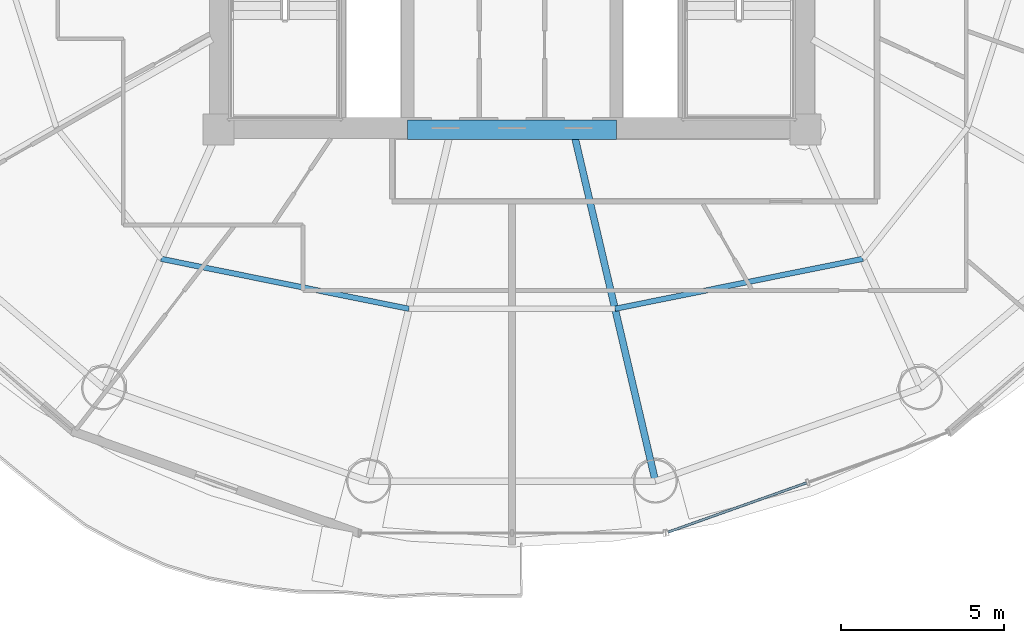
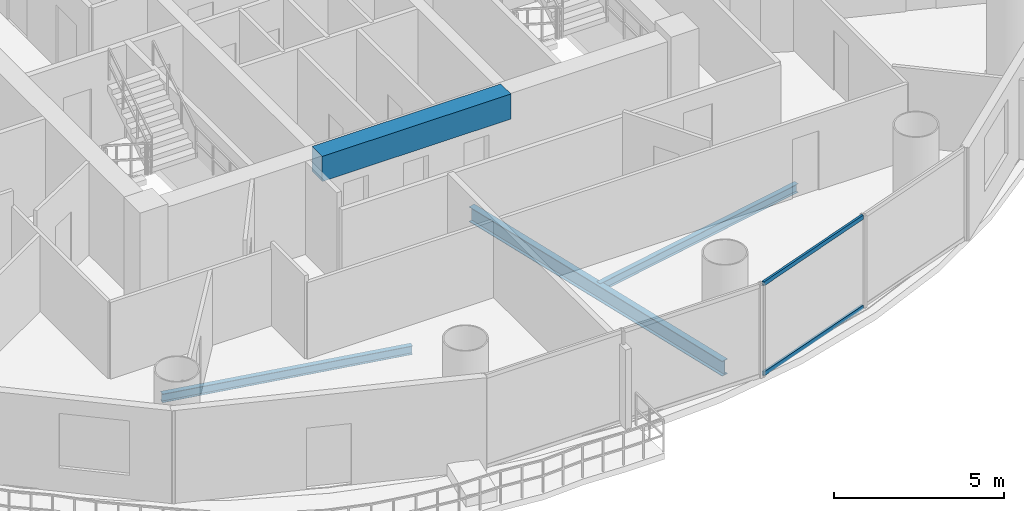
# One storey, part 5 of 26: 4 beams, 2 members, 1 element without a shape of its own.
"""IFC4 building model written with IfcOpenShell, lengths in metres."""

from ifc_helpers import new_model, si_unit, direction, frame, origin, origin_2d, place, context, subcontext, project, spatial, rectangle, hollow_rectangle, i_section, extrude, source, transform, mapped, material, material_profile, profile_set, type_object, element, aggregate, save


model = new_model("IFC4")

# Units and contexts
model_context = context("Model", 3, precision=1e-05, world=origin(), true_north=direction((-0.2419218956, 0.970295726276)))
body_context = subcontext(model_context, "Body", "Model", "MODEL_VIEW")
ifc_project = project(units=[si_unit("LENGTHUNIT", "METRE"), si_unit("AREAUNIT", "SQUARE_METRE"), si_unit("VOLUMEUNIT", "CUBIC_METRE"), si_unit("PLANEANGLEUNIT", "RADIAN"), si_unit("MASSUNIT", "GRAM", prefix="KILO")], contexts=[model_context])

# Site, building, storey
site_placement = place(None, origin())
site = spatial("IfcSite", under=ifc_project, at=site_placement, CompositionType="ELEMENT")
building_placement = place(site_placement, origin())
building = spatial("IfcBuilding", under=site, at=building_placement, Name="Cobrevalo Terracotta Tower", CompositionType="ELEMENT")
storey_placement = place(building_placement, frame((0.0, 0.0, 167.800048828125)))
storey = spatial("IfcBuildingStorey", under=building, at=storey_placement, Name="L44", CompositionType="ELEMENT", Elevation=167.800048828125)

# Beams
ifc_material_1 = material(Name="Concrete C60", Category="concrete")
ifc_material_profile_1 = material_profile(ifc_material_1, rectangle(XDim=0.60009765625, YDim=0.89990234375, at=origin_2d()), Name="RC CB 600x900")
ifc_profile_set_1 = profile_set([ifc_material_profile_1], Name="Concrete C60")
beam_type_1 = type_object("IfcBeamType", Name="Structural Beam RC CB 600x900 (Concrete C60)", PredefinedType="BEAM", material=ifc_profile_set_1)
beam_1_placement = place(storey_placement, frame((34.800048828125, 18.800048828125, 2.8798828125), z_axis=(1.0, 0.0, 0.0), x_axis=(0.0, 1.0, 0.0)))
element("IfcBeam", 1, at=beam_1_placement, inside=storey, type_object=beam_type_1, Name="L44 core coupling beam 1", PredefinedType="BEAM", context=body_context, shape_type="SweptSolid", body=[
    extrude(rectangle(XDim=0.60009765625, YDim=0.89990234375, at=origin_2d()), origin(), (0.0, 0.0, 1.0), 6.39990234375),
])
ifc_material_2 = material(Name="Steel S355", Category="steel")
ifc_material_profile_2 = material_profile(ifc_material_2, i_section(OverallWidth=0.2109375, OverallDepth=0.5390625, WebThickness=0.01171875, FlangeThickness=0.018798828125, at=origin_2d()), Name="W 530x109")
ifc_profile_set_2 = profile_set([ifc_material_profile_2], Name="Steel S355")
beam_type_2 = type_object("IfcBeamType", Name="Structural Beam W 530x109 (Steel S355)", PredefinedType="BEAM", material=ifc_profile_set_2)
beam_2_placement = place(storey_placement, frame((42.399169921875, 8.01806640625, -0.53955078125), z_axis=(-0.228045854186, 0.973650393308, 0.0), x_axis=(-0.973650393308, -0.228045854186, 0.0)))
element("IfcBeam", 2, at=beam_2_placement, inside=storey, type_object=beam_type_2, Name="L44 radial floor girder 13", PredefinedType="BEAM", context=body_context, shape_type="SweptSolid", body=[
    extrude(i_section(OverallWidth=0.2109375, OverallDepth=0.5390625, WebThickness=0.01171875, FlangeThickness=0.018798828125, at=origin_2d()), origin(), (0.0, 0.0, 1.0), 10.863037109375),
])
ifc_material_profile_3 = material_profile(ifc_material_2, i_section(OverallWidth=0.1650390625, OverallDepth=0.31005859375, WebThickness=0.005859375, FlangeThickness=0.009765625, at=origin_2d()), Name="W 310x38.7")
ifc_profile_set_3 = profile_set([ifc_material_profile_3], Name="Steel S355")
beam_type_3 = type_object("IfcBeamType", Name="Structural Joist W 310x38.7 (Steel S355)", PredefinedType="JOIST", material=ifc_profile_set_3)
for number, where, z_axis, x_axis, name in (
    (3, (27.23583984375, 14.838623046875, -0.425048828125), (0.980293928329, -0.197544461026, 0.0), (0.197544461026, 0.980293928329, 0.0), "L44 circumferential secondary floor joist 11"),
    (4, (41.16064453125, 13.306396484375, -0.425048828125), (0.980293928329, 0.197544461026, 0.0), (-0.197544461026, 0.980293928329, 0.0), "L44 circumferential secondary floor joist 13"),
):
    element("IfcBeam", number, at=place(storey_placement, frame(where, z_axis=z_axis, x_axis=x_axis)), inside=storey, type_object=beam_type_3, Name=name, PredefinedType="JOIST", context=body_context, shape_type="SweptSolid", body=[
        extrude(i_section(OverallWidth=0.1650390625, OverallDepth=0.31005859375, WebThickness=0.005859375, FlangeThickness=0.009765625, at=origin_2d()), origin(), (0.0, 0.0, 1.0), 7.75634765625),
    ])

# Curtain wall, members
ifc_material_3 = material(Name="Anodized aluminium", Category="aluminium")
curtain_wall_type = type_object("IfcCurtainWallType", Name="Mid-tower high-wind unitised curtain wall CW-U2", PredefinedType="NOTDEFINED", material=ifc_material_3)
curtain_wall_placement = place(storey_placement, origin())
curtain_wall = element("IfcCurtainWall", 5, at=curtain_wall_placement, inside=storey, type_object=curtain_wall_type, Name="L44 curtain wall CW-L44-S13", PredefinedType="NOTDEFINED")
ifc_material_profile_4 = material_profile(ifc_material_3, hollow_rectangle(XDim=0.074951171875, YDim=0.14990234375, WallThickness=0.00439453125, at=origin_2d()), Name="CWT 75x150")
ifc_profile_set_4 = profile_set([ifc_material_profile_4], Name="Anodized aluminium")
member_type = type_object("IfcMemberType", Name="Tower unitised aluminium transom 75x150", PredefinedType="USERDEFINED", material=ifc_profile_set_4)
shared_shape = source(origin(), body_context, "Body", "SweptSolid", [
    extrude(hollow_rectangle(XDim=0.074951171875, YDim=0.14990234375, WallThickness=0.00439453125, at=origin_2d()), origin(), (0.0, 0.0, 1.0), 4.50390625),
])
member_1_placement = place(storey_placement, frame((42.790771484375, 6.455810546875, 0.050048828125), z_axis=(0.942087248155, 0.335367882873, 0.0), x_axis=(-0.335367882873, 0.942087248155, 0.0)))
member_1 = element("IfcMember", 6, at=member_1_placement, type_object=member_type, Name="CW-L44-S13 transom B01-T1", ObjectType="TRANSOM", PredefinedType="USERDEFINED", context=body_context, shape_type="MappedRepresentation", body=[
    mapped(shared_shape, transform((0.0, 0.0, 0.0), scale=1.0)),
])
member_2_placement = place(storey_placement, frame((42.790771484375, 6.455810546875, 3.280029296875), z_axis=(0.942087248155, 0.335367882873, 0.0), x_axis=(-0.335367882873, 0.942087248155, 0.0)))
member_2 = element("IfcMember", 7, at=member_2_placement, type_object=member_type, Name="CW-L44-S13 transom B01-T2", ObjectType="TRANSOM", PredefinedType="USERDEFINED", context=body_context, shape_type="MappedRepresentation", body=[
    mapped(shared_shape, transform((0.0, 0.0, 0.0), scale=1.0)),
])
aggregate(curtain_wall, [member_1, member_2])

save(model, "model.ifc")
